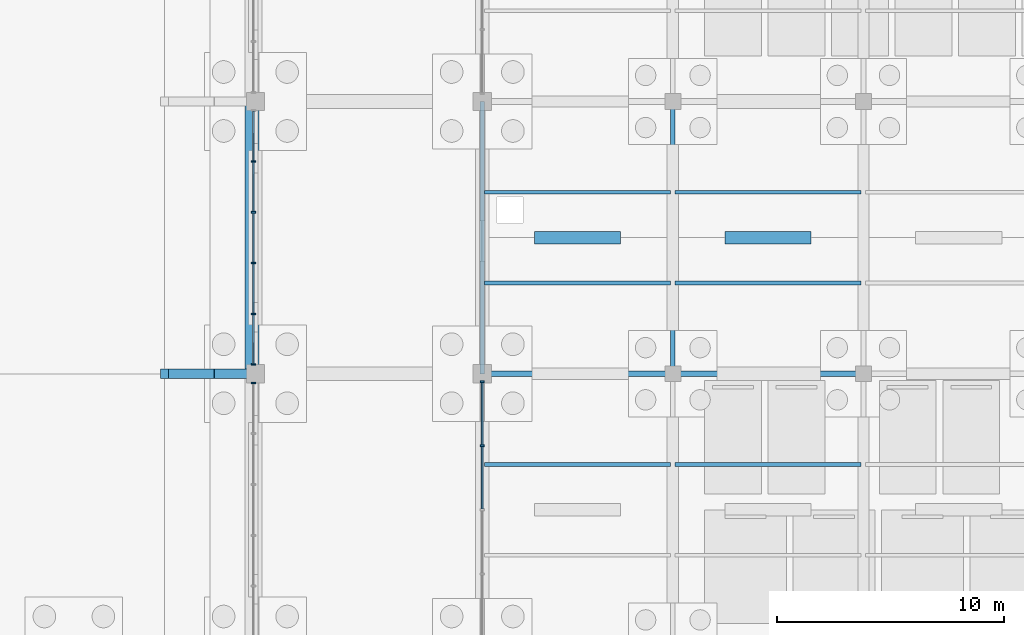
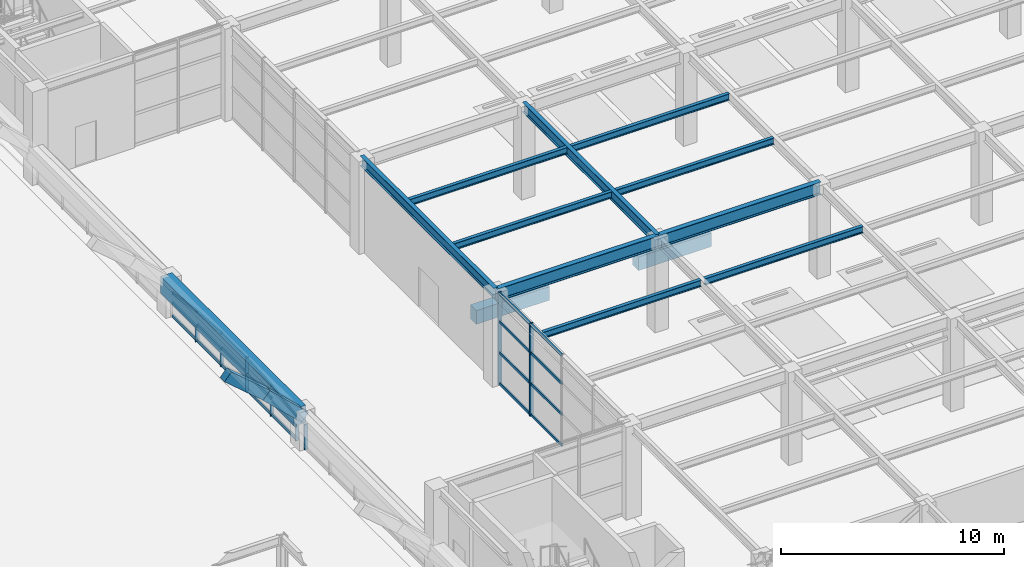
# One storey, part 50 of 129: 31 members, 15 beams, 3 elements without a shape of their own.
"""IFC4 building model written with IfcOpenShell, lengths in metres."""

from ifc_helpers import new_model, si_unit, direction, frame, origin, origin_2d, place, context, subcontext, project, spatial, rectangle, i_section, extrude, material, layer, layer_set, material_profile, profile_set, type_object, element, aggregate, save


model = new_model("IFC4")

# Units and contexts
model_context = context("Model", 3, precision=1e-05, world=origin(), true_north=direction((0.0, 1.0)))
body_context = subcontext(model_context, "Body", "Model", "MODEL_VIEW")
ifc_project = project(units=[si_unit("LENGTHUNIT", "METRE"), si_unit("AREAUNIT", "SQUARE_METRE"), si_unit("VOLUMEUNIT", "CUBIC_METRE"), si_unit("PLANEANGLEUNIT", "RADIAN"), si_unit("MASSUNIT", "GRAM", prefix="KILO")], contexts=[model_context])

# Site, building, storey
site_placement = place(None, origin())
site = spatial("IfcSite", under=ifc_project, at=site_placement, CompositionType="ELEMENT")
building_placement = place(site_placement, origin())
building = spatial("IfcBuilding", under=site, at=building_placement, Name="Sitalva Quay Ferry Terminal", CompositionType="ELEMENT")
storey_placement = place(building_placement, origin())
storey = spatial("IfcBuildingStorey", under=building, at=storey_placement, Name="L01", CompositionType="ELEMENT", Elevation=0.0)

# Beams
ifc_material_1 = material(Name="Concrete C40/50", Category="concrete")
ifc_material_profile_1 = material_profile(ifc_material_1, rectangle(XDim=0.39990234375, YDim=0.550048828125, at=origin_2d()), Name="RC400x550")
ifc_profile_set_1 = profile_set([ifc_material_profile_1], Name="Concrete C40/50")
beam_type_1 = type_object("IfcBeamType", Name="Beam_Arch_RC400x550", PredefinedType="BEAM", material=ifc_profile_set_1)
beam_1_placement = place(storey_placement, frame((70.0, 42.0, 5.219482421875), z_axis=(0.760297282494, 0.0, -0.649575278342), x_axis=(0.0, 1.0, 0.0)))
element("IfcBeam", 1, at=beam_1_placement, inside=storey, type_object=beam_type_1, Name="Vault V1 transverse arch rib 4.15", PredefinedType="BEAM", context=body_context, shape_type="SweptSolid", body=[
    extrude(rectangle(XDim=0.39990234375, YDim=0.550048828125, at=origin_2d()), origin(), (0.0, 0.0, 1.0), 2.630615234375),
])
beam_2_placement = place(storey_placement, frame((72.0, 42.0, 3.500732421875), z_axis=(0.725680279623, 0.0, -0.688032071757), x_axis=(0.0, 1.0, 0.0)))
element("IfcBeam", 2, at=beam_2_placement, inside=storey, type_object=beam_type_1, Name="Vault V1 transverse arch rib 4.16", PredefinedType="BEAM", context=body_context, shape_type="SweptSolid", body=[
    extrude(rectangle(XDim=0.39990234375, YDim=0.550048828125, at=origin_2d()), origin(), (0.0, 0.0, 1.0), 2.756103515625),
])
ifc_material_2 = material(Name="Concrete C40/50", Category="concrete")
ifc_material_profile_2 = material_profile(ifc_material_2, rectangle(XDim=0.60009765625, YDim=0.949951171875, at=origin_2d()), Name="RC600x950")
ifc_profile_set_2 = profile_set([ifc_material_profile_2], Name="Concrete C40/50")
beam_type_2 = type_object("IfcBeamType", Name="Beam_Edge_RC600x950", PredefinedType="BEAM", material=ifc_profile_set_2)
beam_3_placement = place(storey_placement, frame((73.85009765625, 42.0, 1.625), z_axis=(0.0, 1.0, 0.0), x_axis=(-1.0, 0.0, 0.0)))
element("IfcBeam", 3, at=beam_3_placement, inside=storey, type_object=beam_type_2, Name="Vault V1 longitudinal springing edge beam E bay 4", PredefinedType="BEAM", context=body_context, shape_type="SweptSolid", body=[
    extrude(rectangle(XDim=0.60009765625, YDim=0.949951171875, at=origin_2d()), origin(), (0.0, 0.0, 1.0), 12.0),
])
ifc_material_3 = material(Name="Structural Steel S355JR", Category="steel")
ifc_material_profile_3 = material_profile(ifc_material_3, i_section(OverallWidth=0.2119140625, OverallDepth=0.5439453125, WebThickness=0.01318359375, FlangeThickness=0.021240234375, FilletRadius=0.014892578125, at=origin_2d()), Name="W530x123")
ifc_profile_set_3 = profile_set([ifc_material_profile_3], Name="Structural Steel S355JR")
beam_type_3 = type_object("IfcBeamType", Name="Girder_W530x123", PredefinedType="USERDEFINED", material=ifc_profile_set_3)
for number, where, z_axis, x_axis, name in (
    (4, (84.0, 42.0, 4.80810546875), (0.0, 1.0, 0.0), (-1.0, 0.0, 0.0), "L01 Primary Y girder 0288"),
    (5, (92.39990234375, 42.0, 4.80810546875), (0.0, 1.0, 0.0), (-1.0, 0.0, 0.0), "L01 Primary Y girder 0292"),
):
    element("IfcBeam", number, at=place(storey_placement, frame(where, z_axis=z_axis, x_axis=x_axis)), inside=storey, type_object=beam_type_3, Name=name, ObjectType="GIRDER", PredefinedType="USERDEFINED", context=body_context, shape_type="SweptSolid", body=[
        extrude(i_section(OverallWidth=0.2119140625, OverallDepth=0.5439453125, WebThickness=0.01318359375, FlangeThickness=0.021240234375, FilletRadius=0.014892578125, at=origin_2d()), origin(), (0.0, 0.0, 1.0), 12.0),
    ])
ifc_material_4 = material(Name="Structural Steel S355JR", Category="steel")
ifc_material_profile_4 = material_profile(ifc_material_4, i_section(OverallWidth=0.256103515625, OverallDepth=0.693115234375, WebThickness=0.014404296875, FlangeThickness=0.023681640625, FilletRadius=0.01806640625, at=origin_2d()), Name="W690x170")
ifc_profile_set_4 = profile_set([ifc_material_profile_4], Name="Structural Steel S355JR")
beam_type_4 = type_object("IfcBeamType", Name="Girder_W690x170", PredefinedType="USERDEFINED", material=ifc_profile_set_4)
beam_4_placement = place(storey_placement, frame((84.0, 42.0, 4.7333984375), z_axis=(1.0, 0.0, 0.0), x_axis=(0.0, 1.0, 0.0)))
element("IfcBeam", 6, at=beam_4_placement, inside=storey, type_object=beam_type_4, Name="L01 Primary X girder 0247", ObjectType="GIRDER", PredefinedType="USERDEFINED", context=body_context, shape_type="SweptSolid", body=[
    extrude(i_section(OverallWidth=0.256103515625, OverallDepth=0.693115234375, WebThickness=0.014404296875, FlangeThickness=0.023681640625, FilletRadius=0.01806640625, at=origin_2d()), origin(), (0.0, 0.0, 1.0), 8.39990234375),
])
beam_5_placement = place(storey_placement, frame((92.39990234375, 42.0, 4.7333984375), z_axis=(1.0, 0.0, 0.0), x_axis=(0.0, 1.0, 0.0)))
element("IfcBeam", 7, at=beam_5_placement, inside=storey, type_object=beam_type_4, Name="L01 Primary X girder 0248", ObjectType="GIRDER", PredefinedType="USERDEFINED", context=body_context, shape_type="SweptSolid", body=[
    extrude(i_section(OverallWidth=0.256103515625, OverallDepth=0.693115234375, WebThickness=0.014404296875, FlangeThickness=0.023681640625, FilletRadius=0.01806640625, at=origin_2d()), origin(), (0.0, 0.0, 1.0), 8.400146484375),
])
ifc_material_5 = material(Name="Structural Steel S355JR", Category="steel")
ifc_material_profile_5 = material_profile(ifc_material_5, i_section(OverallWidth=0.172119140625, OverallDepth=0.35791015625, WebThickness=0.0078125, FlangeThickness=0.01318359375, FilletRadius=0.011962890625, at=origin_2d()), Name="W360x57")
ifc_profile_set_5 = profile_set([ifc_material_profile_5], Name="Structural Steel S355JR")
beam_type_5 = type_object("IfcBeamType", Name="Joist_W360x57", PredefinedType="JOIST", material=ifc_profile_set_5)
for number, where, z_axis, x_axis, name in (
    (8, (84.10009765625, 38.0, 4.90087890625), (1.0, 0.0, 0.0), (0.0, 1.0, 0.0), "L01 Secondary joist 0368"),
    (9, (92.5, 38.0, 4.90087890625), (1.0, 0.0, 0.0), (0.0, 1.0, 0.0), "L01 Secondary joist 0369"),
    (10, (84.10009765625, 46.0, 4.90087890625), (1.0, 0.0, 0.0), (0.0, 1.0, 0.0), "L01 Secondary joist 0378"),
    (11, (92.5, 46.0, 4.90087890625), (1.0, 0.0, 0.0), (0.0, 1.0, 0.0), "L01 Secondary joist 0379"),
    (12, (84.10009765625, 50.0, 4.90087890625), (1.0, 0.0, 0.0), (0.0, 1.0, 0.0), "L01 Secondary joist 0388"),
    (13, (92.5, 50.0, 4.90087890625), (1.0, 0.0, 0.0), (0.0, 1.0, 0.0), "L01 Secondary joist 0389"),
):
    element("IfcBeam", number, at=place(storey_placement, frame(where, z_axis=z_axis, x_axis=x_axis)), inside=storey, type_object=beam_type_5, Name=name, PredefinedType="JOIST", context=body_context, shape_type="SweptSolid", body=[
        extrude(i_section(OverallWidth=0.172119140625, OverallDepth=0.35791015625, WebThickness=0.0078125, FlangeThickness=0.01318359375, FilletRadius=0.011962890625, at=origin_2d()), origin(), (0.0, 0.0, 1.0), 8.199951171875),
    ])

# Curtain wall, member
ifc_material_6 = material(Name="Anodised Aluminium & Low-E Glazing", Category="aluminium")
ifc_layer_1 = layer(ifc_material_6, 0.159912109375)
ifc_layer_set_1 = layer_set([ifc_layer_1], Name="Anodised Aluminium & Low-E Glazing")
curtain_wall_type_1 = type_object("IfcCurtainWallType", Name="CW_VaultArch_Glazed", PredefinedType="USERDEFINED", material=ifc_layer_set_1)
curtain_wall_1_placement = place(storey_placement, origin())
curtain_wall_1 = element("IfcCurtainWall", 14, at=curtain_wall_1_placement, inside=storey, type_object=curtain_wall_type_1, Name="V1-E shallow-arch base glazing (CW-L01-030)", ObjectType="CURTAIN_WALL", PredefinedType="USERDEFINED")
ifc_material_7 = material(Name="Anodised Aluminium 6063-T6", Category="aluminium")
ifc_material_profile_6 = material_profile(ifc_material_7, rectangle(XDim=0.070068359375, YDim=0.181884765625, at=origin_2d()), Name="ALU70x182")
ifc_profile_set_6 = profile_set([ifc_material_profile_6], Name="Anodised Aluminium 6063-T6")
member_type_1 = type_object("IfcMemberType", Name="Mullion_Alu_65x170", PredefinedType="MULLION", material=ifc_profile_set_6)
member_1_placement = place(storey_placement, frame((73.919921875, 41.60009765625, 0.0), z_axis=(0.0, 0.0, 1.0), x_axis=(0.0, 1.0, 0.0)))
member_1 = element("IfcMember", 15, at=member_1_placement, type_object=member_type_1, Name="CW-L01-030-M5", PredefinedType="MULLION", context=body_context, shape_type="SweptSolid", body=[
    extrude(rectangle(XDim=0.070068359375, YDim=0.181884765625, at=origin_2d()), origin(), (0.0, 0.0, 1.0), 1.39990234375),
])
aggregate(curtain_wall_1, [member_1])

# Curtain wall, members
curtain_wall_2_placement = place(storey_placement, origin())
curtain_wall_2 = element("IfcCurtainWall", 16, at=curtain_wall_2_placement, inside=storey, type_object=curtain_wall_type_1, Name="V1-E shallow-arch base glazing (CW-L01-031)", ObjectType="CURTAIN_WALL", PredefinedType="USERDEFINED")
member_2_placement = place(storey_placement, frame((73.919921875, 42.39990234375, 0.0), z_axis=(0.0, 0.0, 1.0), x_axis=(0.0, 1.0, 0.0)))
member_2 = element("IfcMember", 17, at=member_2_placement, type_object=member_type_1, Name="CW-L01-031-M0", PredefinedType="MULLION", context=body_context, shape_type="SweptSolid", body=[
    extrude(rectangle(XDim=0.070068359375, YDim=0.181884765625, at=origin_2d()), origin(), (0.0, 0.0, 1.0), 1.39990234375),
])
member_3_placement = place(storey_placement, frame((73.919921875, 44.639892578125, 0.0), z_axis=(0.0, 0.0, 1.0), x_axis=(0.0, 1.0, 0.0)))
member_3 = element("IfcMember", 18, at=member_3_placement, type_object=member_type_1, Name="CW-L01-031-M1", PredefinedType="MULLION", context=body_context, shape_type="SweptSolid", body=[
    extrude(rectangle(XDim=0.070068359375, YDim=0.181884765625, at=origin_2d()), origin(), (0.0, 0.0, 1.0), 1.707275390625),
])
member_4_placement = place(storey_placement, frame((73.919921875, 46.8798828125, 0.0), z_axis=(0.0, 0.0, 1.0), x_axis=(0.0, 1.0, 0.0)))
member_4 = element("IfcMember", 19, at=member_4_placement, type_object=member_type_1, Name="CW-L01-031-M2", PredefinedType="MULLION", context=body_context, shape_type="SweptSolid", body=[
    extrude(rectangle(XDim=0.070068359375, YDim=0.181884765625, at=origin_2d()), origin(), (0.0, 0.0, 1.0), 1.86083984375),
])
member_5_placement = place(storey_placement, frame((73.919921875, 49.1201171875, 0.0), z_axis=(0.0, 0.0, 1.0), x_axis=(0.0, 1.0, 0.0)))
member_5 = element("IfcMember", 20, at=member_5_placement, type_object=member_type_1, Name="CW-L01-031-M3", PredefinedType="MULLION", context=body_context, shape_type="SweptSolid", body=[
    extrude(rectangle(XDim=0.070068359375, YDim=0.181884765625, at=origin_2d()), origin(), (0.0, 0.0, 1.0), 1.86083984375),
])
member_6_placement = place(storey_placement, frame((73.919921875, 51.360107421875, 0.0), z_axis=(0.0, 0.0, 1.0), x_axis=(0.0, 1.0, 0.0)))
member_6 = element("IfcMember", 21, at=member_6_placement, type_object=member_type_1, Name="CW-L01-031-M4", PredefinedType="MULLION", context=body_context, shape_type="SweptSolid", body=[
    extrude(rectangle(XDim=0.070068359375, YDim=0.181884765625, at=origin_2d()), origin(), (0.0, 0.0, 1.0), 1.707275390625),
])

ifc_material_8 = material(Name="Anodised Aluminium & Low-E Glazing", Category="aluminium")
ifc_layer_2 = layer(ifc_material_8, 0.159912109375)
ifc_layer_set_2 = layer_set([ifc_layer_2], Name="Anodised Aluminium & Low-E Glazing")
curtain_wall_type_2 = type_object("IfcCurtainWallType", Name="CW_Coastal_Louvred", PredefinedType="USERDEFINED", material=ifc_layer_set_2)
curtain_wall_3_placement = place(storey_placement, origin())
curtain_wall_3 = element("IfcCurtainWall", 22, at=curtain_wall_3_placement, inside=storey, type_object=curtain_wall_type_2, Name="L01 east court louvred wall (CW-L01-076)", ObjectType="CURTAIN_WALL", PredefinedType="USERDEFINED")
ifc_material_9 = material(Name="Anodised Aluminium 6063-T6", Category="aluminium")
ifc_material_profile_7 = material_profile(ifc_material_9, rectangle(XDim=0.080078125, YDim=0.18505859375, at=origin_2d()), Name="ALU80x185")
ifc_profile_set_7 = profile_set([ifc_material_profile_7], Name="Anodised Aluminium 6063-T6")
member_type_2 = type_object("IfcMemberType", Name="Mullion_Alu_80x185", PredefinedType="MULLION", material=ifc_profile_set_7)
member_7_placement = place(storey_placement, frame((84.0, 38.824951171875, 0.0), z_axis=(0.0, 0.0, 1.0), x_axis=(0.0, 1.0, 0.0)))
member_7 = element("IfcMember", 23, at=member_7_placement, type_object=member_type_2, Name="CW-L01-076-M3", PredefinedType="MULLION", context=body_context, shape_type="SweptSolid", body=[
    extrude(rectangle(XDim=0.080078125, YDim=0.18505859375, at=origin_2d()), origin(), (0.0, 0.0, 1.0), 5.080078125),
])
member_8_placement = place(storey_placement, frame((84.0, 41.64990234375, 0.0), z_axis=(0.0, 0.0, 1.0), x_axis=(0.0, 1.0, 0.0)))
member_8 = element("IfcMember", 24, at=member_8_placement, type_object=member_type_2, Name="CW-L01-076-M4", PredefinedType="MULLION", context=body_context, shape_type="SweptSolid", body=[
    extrude(rectangle(XDim=0.080078125, YDim=0.18505859375, at=origin_2d()), origin(), (0.0, 0.0, 1.0), 5.080078125),
])

# Beams
ifc_material_10 = material(Name="Concrete C35/45", Category="concrete")
ifc_material_profile_8 = material_profile(ifc_material_10, rectangle(XDim=0.550048828125, YDim=0.75, at=origin_2d()), Name="RC550x750")
ifc_profile_set_8 = profile_set([ifc_material_profile_8], Name="Concrete C35/45")
beam_type_6 = type_object("IfcBeamType", Name="TBeam_Quay_RC550x750", PredefinedType="T_BEAM", material=ifc_profile_set_8)
for number, where, z_axis, x_axis, name in (
    (25, (86.300048828125, 48.0, -0.824951171875), (1.0, 0.0, 0.0), (0.0, 1.0, 0.0), "L01 Ro-Ro quay deck T-beam 0076"),
    (26, (94.699951171875, 48.0, -0.824951171875), (1.0, 0.0, 0.0), (0.0, 1.0, 0.0), "L01 Ro-Ro quay deck T-beam 0077"),
):
    element("IfcBeam", number, at=place(storey_placement, frame(where, z_axis=z_axis, x_axis=x_axis)), inside=storey, type_object=beam_type_6, Name=name, PredefinedType="T_BEAM", context=body_context, shape_type="SweptSolid", body=[
        extrude(rectangle(XDim=0.550048828125, YDim=0.75, at=origin_2d()), origin(), (0.0, 0.0, 1.0), 3.800048828125),
    ])

# Member
ifc_material_11 = material(Name="Anodised Aluminium 6063-T6", Category="aluminium")
ifc_material_profile_9 = material_profile(ifc_material_11, rectangle(XDim=0.074951171875, YDim=0.155029296875, at=origin_2d()), Name="ALU75x155")
ifc_profile_set_9 = profile_set([ifc_material_profile_9], Name="Anodised Aluminium 6063-T6")
member_type_3 = type_object("IfcMemberType", Name="Transom_Alu_70x135", PredefinedType="MULLION", material=ifc_profile_set_9)
member_9_placement = place(storey_placement, frame((73.919921875, 42.43505859375, 0.077392578125), z_axis=(0.0, 1.0, 0.0), x_axis=(-1.0, 0.0, 0.0)))
member_9 = element("IfcMember", 27, at=member_9_placement, type_object=member_type_3, Name="CW-L01-031-T0-0", ObjectType="TRANSOM", PredefinedType="USERDEFINED", context=body_context, shape_type="SweptSolid", body=[
    extrude(rectangle(XDim=0.074951171875, YDim=0.155029296875, at=origin_2d()), origin(), (0.0, 0.0, 1.0), 2.169921875),
])

member_10_placement = place(storey_placement, frame((73.919921875, 42.43505859375, 0.777587890625), z_axis=(0.0, 1.0, 0.0), x_axis=(-1.0, 0.0, 0.0)))
member_10 = element("IfcMember", 28, at=member_10_placement, type_object=member_type_3, Name="CW-L01-031-T0-1", ObjectType="TRANSOM", PredefinedType="USERDEFINED", context=body_context, shape_type="SweptSolid", body=[
    extrude(rectangle(XDim=0.074951171875, YDim=0.155029296875, at=origin_2d()), origin(), (0.0, 0.0, 1.0), 2.169921875),
])

member_11_placement = place(storey_placement, frame((73.919921875, 42.43505859375, 1.322509765625), z_axis=(0.0, 0.990131365095, 0.140142355681), x_axis=(-1.0, 0.0, 0.0)))
member_11 = element("IfcMember", 29, at=member_11_placement, type_object=member_type_3, Name="CW-L01-031-T0-2", ObjectType="TRANSOM", PredefinedType="USERDEFINED", context=body_context, shape_type="SweptSolid", body=[
    extrude(rectangle(XDim=0.074951171875, YDim=0.155029296875, at=origin_2d()), origin(), (0.0, 0.0, 1.0), 2.191650390625),
])

member_12_placement = place(storey_placement, frame((73.919921875, 44.675048828125, 0.077392578125), z_axis=(0.0, 1.0, 0.0), x_axis=(-1.0, 0.0, 0.0)))
member_12 = element("IfcMember", 30, at=member_12_placement, type_object=member_type_3, Name="CW-L01-031-T1-0", ObjectType="TRANSOM", PredefinedType="USERDEFINED", context=body_context, shape_type="SweptSolid", body=[
    extrude(rectangle(XDim=0.074951171875, YDim=0.155029296875, at=origin_2d()), origin(), (0.0, 0.0, 1.0), 2.169921875),
])

member_13_placement = place(storey_placement, frame((73.919921875, 44.675048828125, 0.93115234375), z_axis=(0.0, 1.0, 0.0), x_axis=(-1.0, 0.0, 0.0)))
member_13 = element("IfcMember", 31, at=member_13_placement, type_object=member_type_3, Name="CW-L01-031-T1-1", ObjectType="TRANSOM", PredefinedType="USERDEFINED", context=body_context, shape_type="SweptSolid", body=[
    extrude(rectangle(XDim=0.074951171875, YDim=0.155029296875, at=origin_2d()), origin(), (0.0, 0.0, 1.0), 2.169921875),
])

member_14_placement = place(storey_placement, frame((73.919921875, 44.675048828125, 1.629638671875), z_axis=(0.0, 0.997505200677, 0.070593021065), x_axis=(-1.0, 0.0, 0.0)))
member_14 = element("IfcMember", 32, at=member_14_placement, type_object=member_type_3, Name="CW-L01-031-T1-2", ObjectType="TRANSOM", PredefinedType="USERDEFINED", context=body_context, shape_type="SweptSolid", body=[
    extrude(rectangle(XDim=0.074951171875, YDim=0.155029296875, at=origin_2d()), origin(), (0.0, 0.0, 1.0), 2.17529296875),
])

member_15_placement = place(storey_placement, frame((73.919921875, 46.9150390625, 0.077392578125), z_axis=(0.0, 1.0, 0.0), x_axis=(-1.0, 0.0, 0.0)))
member_15 = element("IfcMember", 33, at=member_15_placement, type_object=member_type_3, Name="CW-L01-031-T2-0", ObjectType="TRANSOM", PredefinedType="USERDEFINED", context=body_context, shape_type="SweptSolid", body=[
    extrude(rectangle(XDim=0.074951171875, YDim=0.155029296875, at=origin_2d()), origin(), (0.0, 0.0, 1.0), 2.169921875),
])

member_16_placement = place(storey_placement, frame((73.919921875, 46.9150390625, 1.0078125), z_axis=(0.0, 1.0, 0.0), x_axis=(-1.0, 0.0, 0.0)))
member_16 = element("IfcMember", 34, at=member_16_placement, type_object=member_type_3, Name="CW-L01-031-T2-1", ObjectType="TRANSOM", PredefinedType="USERDEFINED", context=body_context, shape_type="SweptSolid", body=[
    extrude(rectangle(XDim=0.074951171875, YDim=0.155029296875, at=origin_2d()), origin(), (0.0, 0.0, 1.0), 2.169921875),
])

member_17_placement = place(storey_placement, frame((73.919921875, 46.9150390625, 1.783203125), z_axis=(0.0, 1.0, 0.0), x_axis=(-1.0, 0.0, 0.0)))
member_17 = element("IfcMember", 35, at=member_17_placement, type_object=member_type_3, Name="CW-L01-031-T2-2", ObjectType="TRANSOM", PredefinedType="USERDEFINED", context=body_context, shape_type="SweptSolid", body=[
    extrude(rectangle(XDim=0.074951171875, YDim=0.155029296875, at=origin_2d()), origin(), (0.0, 0.0, 1.0), 2.169921875),
])

member_18_placement = place(storey_placement, frame((73.919921875, 49.155029296875, 0.077392578125), z_axis=(0.0, 1.0, 0.0), x_axis=(-1.0, 0.0, 0.0)))
member_18 = element("IfcMember", 36, at=member_18_placement, type_object=member_type_3, Name="CW-L01-031-T3-0", ObjectType="TRANSOM", PredefinedType="USERDEFINED", context=body_context, shape_type="SweptSolid", body=[
    extrude(rectangle(XDim=0.074951171875, YDim=0.155029296875, at=origin_2d()), origin(), (0.0, 0.0, 1.0), 2.169921875),
])

member_19_placement = place(storey_placement, frame((73.919921875, 49.155029296875, 0.93115234375), z_axis=(0.0, 1.0, 0.0), x_axis=(-1.0, 0.0, 0.0)))
member_19 = element("IfcMember", 37, at=member_19_placement, type_object=member_type_3, Name="CW-L01-031-T3-1", ObjectType="TRANSOM", PredefinedType="USERDEFINED", context=body_context, shape_type="SweptSolid", body=[
    extrude(rectangle(XDim=0.074951171875, YDim=0.155029296875, at=origin_2d()), origin(), (0.0, 0.0, 1.0), 2.169921875),
])

member_20_placement = place(storey_placement, frame((73.919921875, 49.155029296875, 1.783203125), z_axis=(0.0, 0.997505200677, -0.070593021065), x_axis=(-1.0, 0.0, 0.0)))
member_20 = element("IfcMember", 38, at=member_20_placement, type_object=member_type_3, Name="CW-L01-031-T3-2", ObjectType="TRANSOM", PredefinedType="USERDEFINED", context=body_context, shape_type="SweptSolid", body=[
    extrude(rectangle(XDim=0.074951171875, YDim=0.155029296875, at=origin_2d()), origin(), (0.0, 0.0, 1.0), 2.17529296875),
])

member_21_placement = place(storey_placement, frame((73.919921875, 51.39501953125, 0.077392578125), z_axis=(0.0, 1.0, 0.0), x_axis=(-1.0, 0.0, 0.0)))
member_21 = element("IfcMember", 39, at=member_21_placement, type_object=member_type_3, Name="CW-L01-031-T4-0", ObjectType="TRANSOM", PredefinedType="USERDEFINED", context=body_context, shape_type="SweptSolid", body=[
    extrude(rectangle(XDim=0.074951171875, YDim=0.155029296875, at=origin_2d()), origin(), (0.0, 0.0, 1.0), 2.169921875),
])

member_22_placement = place(storey_placement, frame((73.919921875, 51.39501953125, 0.777587890625), z_axis=(0.0, 1.0, 0.0), x_axis=(-1.0, 0.0, 0.0)))
member_22 = element("IfcMember", 40, at=member_22_placement, type_object=member_type_3, Name="CW-L01-031-T4-1", ObjectType="TRANSOM", PredefinedType="USERDEFINED", context=body_context, shape_type="SweptSolid", body=[
    extrude(rectangle(XDim=0.074951171875, YDim=0.155029296875, at=origin_2d()), origin(), (0.0, 0.0, 1.0), 2.169921875),
])

member_23_placement = place(storey_placement, frame((73.919921875, 51.39501953125, 1.629638671875), z_axis=(0.0, 0.990131365095, -0.140142355681), x_axis=(-1.0, 0.0, 0.0)))
member_23 = element("IfcMember", 41, at=member_23_placement, type_object=member_type_3, Name="CW-L01-031-T4-2", ObjectType="TRANSOM", PredefinedType="USERDEFINED", context=body_context, shape_type="SweptSolid", body=[
    extrude(rectangle(XDim=0.074951171875, YDim=0.155029296875, at=origin_2d()), origin(), (0.0, 0.0, 1.0), 2.191650390625),
])

aggregate(curtain_wall_2, [member_2, member_3, member_4, member_5, member_6, member_9, member_10, member_11, member_12, member_13, member_14, member_15, member_16, member_17, member_18, member_19, member_20, member_21, member_22, member_23])

ifc_material_12 = material(Name="Anodised Aluminium 6063-T6", Category="aluminium")
ifc_material_profile_10 = material_profile(ifc_material_12, rectangle(XDim=0.074951171875, YDim=0.14990234375, at=origin_2d()), Name="ALU75x150")
ifc_profile_set_10 = profile_set([ifc_material_profile_10], Name="Anodised Aluminium 6063-T6")
member_type_4 = type_object("IfcMemberType", Name="Transom_Alu_75x140", PredefinedType="MULLION", material=ifc_profile_set_10)
member_24_placement = place(storey_placement, frame((84.0, 36.0400390625, 0.074951171875), z_axis=(0.0, 1.0, 0.0), x_axis=(-1.0, 0.0, 0.0)))
member_24 = element("IfcMember", 42, at=member_24_placement, type_object=member_type_4, Name="CW-L01-076-T2-0", ObjectType="TRANSOM", PredefinedType="USERDEFINED", context=body_context, shape_type="SweptSolid", body=[
    extrude(rectangle(XDim=0.074951171875, YDim=0.14990234375, at=origin_2d()), origin(), (0.0, 0.0, 1.0), 2.744873046875),
])

member_25_placement = place(storey_placement, frame((84.0, 36.0400390625, 1.768310546875), z_axis=(0.0, 1.0, 0.0), x_axis=(-1.0, 0.0, 0.0)))
member_25 = element("IfcMember", 43, at=member_25_placement, type_object=member_type_4, Name="CW-L01-076-T2-1", ObjectType="TRANSOM", PredefinedType="USERDEFINED", context=body_context, shape_type="SweptSolid", body=[
    extrude(rectangle(XDim=0.074951171875, YDim=0.14990234375, at=origin_2d()), origin(), (0.0, 0.0, 1.0), 2.744873046875),
])

member_26_placement = place(storey_placement, frame((84.0, 36.0400390625, 3.461669921875), z_axis=(0.0, 1.0, 0.0), x_axis=(-1.0, 0.0, 0.0)))
member_26 = element("IfcMember", 44, at=member_26_placement, type_object=member_type_4, Name="CW-L01-076-T2-2", ObjectType="TRANSOM", PredefinedType="USERDEFINED", context=body_context, shape_type="SweptSolid", body=[
    extrude(rectangle(XDim=0.074951171875, YDim=0.14990234375, at=origin_2d()), origin(), (0.0, 0.0, 1.0), 2.744873046875),
])

member_27_placement = place(storey_placement, frame((84.0, 36.0400390625, 5.0048828125), z_axis=(0.0, 1.0, 0.0), x_axis=(-1.0, 0.0, 0.0)))
member_27 = element("IfcMember", 45, at=member_27_placement, type_object=member_type_4, Name="CW-L01-076-T2-3", ObjectType="TRANSOM", PredefinedType="USERDEFINED", context=body_context, shape_type="SweptSolid", body=[
    extrude(rectangle(XDim=0.074951171875, YDim=0.14990234375, at=origin_2d()), origin(), (0.0, 0.0, 1.0), 2.744873046875),
])

member_28_placement = place(storey_placement, frame((84.0, 38.864990234375, 0.074951171875), z_axis=(0.0, 1.0, 0.0), x_axis=(-1.0, 0.0, 0.0)))
member_28 = element("IfcMember", 46, at=member_28_placement, type_object=member_type_4, Name="CW-L01-076-T3-0", ObjectType="TRANSOM", PredefinedType="USERDEFINED", context=body_context, shape_type="SweptSolid", body=[
    extrude(rectangle(XDim=0.074951171875, YDim=0.14990234375, at=origin_2d()), origin(), (0.0, 0.0, 1.0), 2.7451171875),
])

member_29_placement = place(storey_placement, frame((84.0, 38.864990234375, 1.768310546875), z_axis=(0.0, 1.0, 0.0), x_axis=(-1.0, 0.0, 0.0)))
member_29 = element("IfcMember", 47, at=member_29_placement, type_object=member_type_4, Name="CW-L01-076-T3-1", ObjectType="TRANSOM", PredefinedType="USERDEFINED", context=body_context, shape_type="SweptSolid", body=[
    extrude(rectangle(XDim=0.074951171875, YDim=0.14990234375, at=origin_2d()), origin(), (0.0, 0.0, 1.0), 2.7451171875),
])

member_30_placement = place(storey_placement, frame((84.0, 38.864990234375, 3.461669921875), z_axis=(0.0, 1.0, 0.0), x_axis=(-1.0, 0.0, 0.0)))
member_30 = element("IfcMember", 48, at=member_30_placement, type_object=member_type_4, Name="CW-L01-076-T3-2", ObjectType="TRANSOM", PredefinedType="USERDEFINED", context=body_context, shape_type="SweptSolid", body=[
    extrude(rectangle(XDim=0.074951171875, YDim=0.14990234375, at=origin_2d()), origin(), (0.0, 0.0, 1.0), 2.7451171875),
])

member_31_placement = place(storey_placement, frame((84.0, 38.864990234375, 5.0048828125), z_axis=(0.0, 1.0, 0.0), x_axis=(-1.0, 0.0, 0.0)))
member_31 = element("IfcMember", 49, at=member_31_placement, type_object=member_type_4, Name="CW-L01-076-T3-3", ObjectType="TRANSOM", PredefinedType="USERDEFINED", context=body_context, shape_type="SweptSolid", body=[
    extrude(rectangle(XDim=0.074951171875, YDim=0.14990234375, at=origin_2d()), origin(), (0.0, 0.0, 1.0), 2.7451171875),
])

aggregate(curtain_wall_3, [member_7, member_8, member_24, member_25, member_26, member_27, member_28, member_29, member_30, member_31])

save(model, "model.ifc")
